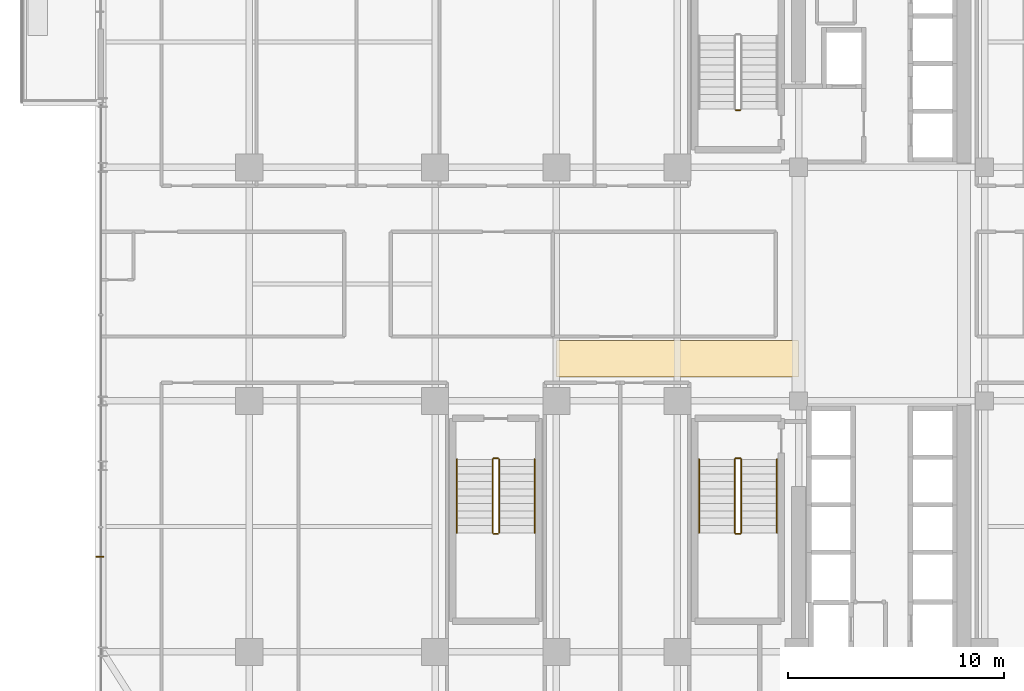
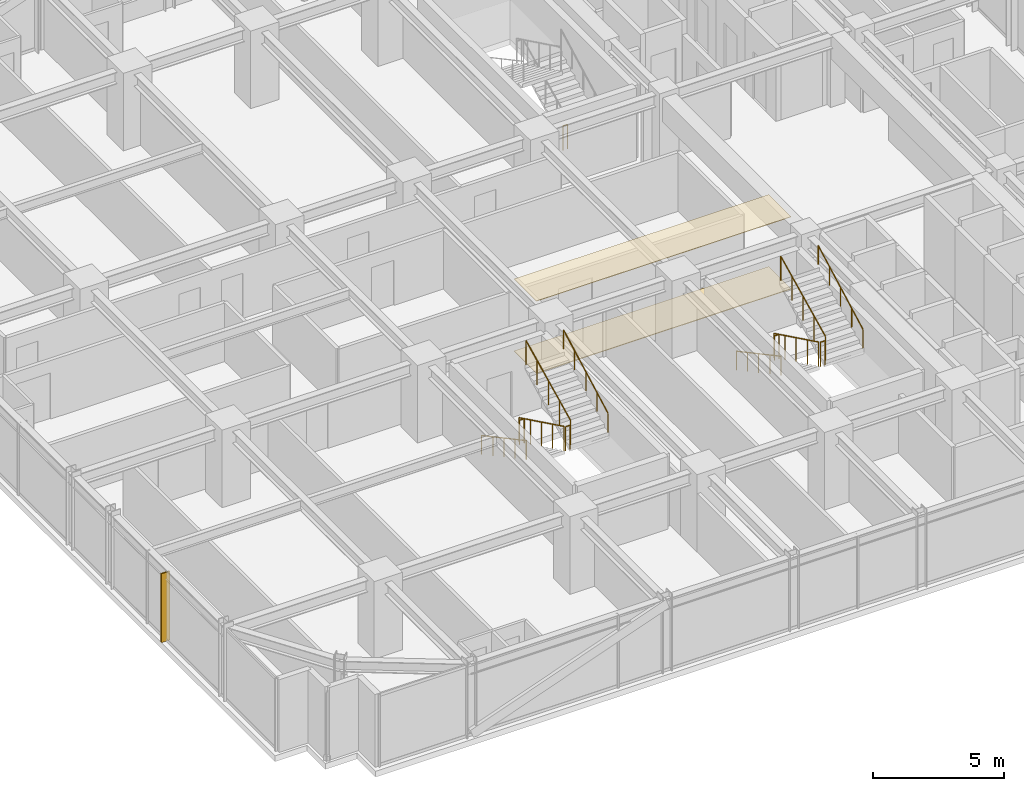
# One storey, part 37 of 40: 13 railings, 2 coverings, 1 shading device.
"""IFC4 building model written with IfcOpenShell, lengths in metres."""

from ifc_helpers import new_model, si_unit, direction, frame, origin, origin_2d, place, context, subcontext, project, spatial, polyline, rectangle, circle, outline, extrude, source, transform, mapped, material, layer, layer_set, type_object, element, save


model = new_model("IFC4")

# Units and contexts
model_context = context("Model", 3, precision=1e-05, world=origin(), true_north=direction((0.0, 1.0)))
body_context = subcontext(model_context, "Body", "Model", "MODEL_VIEW")
ifc_project = project(units=[si_unit("LENGTHUNIT", "METRE"), si_unit("AREAUNIT", "SQUARE_METRE"), si_unit("VOLUMEUNIT", "CUBIC_METRE"), si_unit("PLANEANGLEUNIT", "RADIAN"), si_unit("MASSUNIT", "GRAM", prefix="KILO")], contexts=[model_context])

# Site, building, storey
site_placement = place(None, origin())
site = spatial("IfcSite", under=ifc_project, at=site_placement, CompositionType="ELEMENT")
building_placement = place(site_placement, origin())
building = spatial("IfcBuilding", under=site, at=building_placement, Name="Nahalor Promenade Grand Hotel", CompositionType="ELEMENT")
storey_placement = place(building_placement, frame((0.0, 0.0, 91.949951171875)))
storey = spatial("IfcBuildingStorey", under=building, at=storey_placement, Name="L22", CompositionType="ELEMENT", Elevation=91.949951171875)

# Coverings
ifc_material_1 = material(Name="Acoustic Mineral Gypsum", Category="gypsum")
ifc_layer_1 = layer(ifc_material_1, 0.02490234375)
ifc_layer_set_1 = layer_set([ifc_layer_1], Name="Acoustic Mineral Gypsum")
covering_type_1 = type_object("IfcCoveringType", Name="Acoustic Suspended Ceiling Tile", PredefinedType="CEILING", material=ifc_layer_set_1)
covering_1_placement = place(storey_placement, frame((0.0, 0.0, 3.35498046875)))
element("IfcCovering", 1, at=covering_1_placement, inside=storey, type_object=covering_type_1, Name="CV-CEIL-L22", PredefinedType="CEILING", context=body_context, shape_type="SweptSolid", body=[
    extrude(outline(polyline([(-2.800048828125, -4.300048828125), (8.39990234375, -4.300048828125), (8.39990234375, -2.60009765625), (-2.800048828125, -2.60009765625), (-2.800048828125, -4.300048828125)])), origin(), (0.0, 0.0, 1.0), 0.025146484375),
])
ifc_material_2 = material(Name="Jerusalem Limestone Flooring", Category="masonry")
ifc_layer_2 = layer(ifc_material_2, 0.030029296875)
ifc_layer_set_2 = layer_set([ifc_layer_2], Name="Jerusalem Limestone Flooring")
covering_type_2 = type_object("IfcCoveringType", Name="Honed Limestone Floor Finish", PredefinedType="FLOORING", material=ifc_layer_set_2)
covering_2_placement = place(storey_placement, origin())
element("IfcCovering", 2, at=covering_2_placement, inside=storey, type_object=covering_type_2, Name="CV-FLOR-L22", PredefinedType="FLOORING", context=body_context, shape_type="SweptSolid", body=[
    extrude(outline(polyline([(-2.800048828125, -4.300048828125), (8.39990234375, -4.300048828125), (8.39990234375, -2.60009765625), (-2.800048828125, -2.60009765625), (-2.800048828125, -4.300048828125)])), origin(), (0.0, 0.0, 1.0), 0.030029296875),
])

# Railings
ifc_material_3 = material(Name="Steel S355JR", Category="steel")
railing_type_1 = type_object("IfcRailingType", Name="Steel Stair Guardrail 1150 mm", PredefinedType="GUARDRAIL", material=ifc_material_3)
railing_1_placement = place(storey_placement, frame((5.699951171875, 8.050048828125, 0.0)))
element("IfcRailing", 3, at=railing_1_placement, inside=storey, type_object=railing_type_1, Name="L22 ST1 stair guard 4", PredefinedType="GUARDRAIL", context=body_context, shape_type="SweptSolid", body=[
    extrude(circle(Radius=0.024048, at=origin_2d()), frame((0.0, 0.0, 1.1259765625), z_axis=(-1.0, 0.0, 0.0), x_axis=(0.0, -1.0, 0.0)), (0.0, 0.0, 1.0), 0.199951171875),
    extrude(circle(Radius=0.020996, at=origin_2d()), origin(), (0.0, 0.0, 1.0), 1.099853515625),
    extrude(circle(Radius=0.020996, at=origin_2d()), frame((-0.199951171875, 0.0, 0.0)), (0.0, 0.0, 1.0), 1.099853515625),
])
railing_2_placement = place(storey_placement, frame((5.449951171875, -8.10009765625, 0.166015625)))
element("IfcRailing", 4, at=railing_2_placement, inside=storey, type_object=railing_type_1, Name="L22 ST2 stair guard 1", PredefinedType="GUARDRAIL", context=body_context, shape_type="SweptSolid", body=[
    extrude(circle(Radius=0.024048, at=origin_2d()), frame((0.0, 0.0, 1.1259765625), z_axis=(0.0, -0.898721922897, 0.438518990814), x_axis=(1.0, 0.0, 0.0)), (0.0, 0.0, 1.0), 3.782958984375),
    extrude(circle(Radius=0.020996, at=origin_2d()), origin(), (0.0, 0.0, 1.0), 1.099853515625),
    extrude(circle(Radius=0.020996, at=origin_2d()), frame((0.0, -0.85009765625, 0.414794921875)), (0.0, 0.0, 1.0), 1.099853515625),
    extrude(circle(Radius=0.020996, at=origin_2d()), frame((0.0, -1.699951171875, 0.82958984375)), (0.0, 0.0, 1.0), 1.099853515625),
    extrude(circle(Radius=0.020996, at=origin_2d()), frame((0.0, -2.5498046875, 1.244140625)), (0.0, 0.0, 1.0), 1.099853515625),
    extrude(circle(Radius=0.020996, at=origin_2d()), frame((0.0, -3.39990234375, 1.658935546875)), (0.0, 0.0, 1.0), 1.099853515625),
])
railing_3_placement = place(storey_placement, frame((5.5, -11.550048828125, 1.824951171875)))
element("IfcRailing", 5, at=railing_3_placement, inside=storey, type_object=railing_type_1, Name="L22 ST2 stair guard 2", PredefinedType="GUARDRAIL", context=body_context, shape_type="SweptSolid", body=[
    extrude(circle(Radius=0.024048, at=origin_2d()), frame((0.0, 0.0, 1.1259765625), z_axis=(1.0, 0.0, 0.0), x_axis=(0.0, 1.0, 0.0)), (0.0, 0.0, 1.0), 0.199951171875),
    extrude(circle(Radius=0.020996, at=origin_2d()), origin(), (0.0, 0.0, 1.0), 1.099853515625),
    extrude(circle(Radius=0.020996, at=origin_2d()), frame((0.199951171875, 0.0, 0.0)), (0.0, 0.0, 1.0), 1.099853515625),
])
railing_4_placement = place(storey_placement, frame((5.75, -11.5, 1.990966796875)))
element("IfcRailing", 6, at=railing_4_placement, inside=storey, type_object=railing_type_1, Name="L22 ST2 stair guard 3", PredefinedType="GUARDRAIL", context=body_context, shape_type="SweptSolid", body=[
    extrude(circle(Radius=0.024048, at=origin_2d()), frame((0.0, 0.0, 1.1259765625), z_axis=(0.0, 0.898696488221, 0.438571114028), x_axis=(-1.0, 0.0, 0.0)), (0.0, 0.0, 1.0), 3.783203125),
    extrude(circle(Radius=0.020996, at=origin_2d()), origin(), (0.0, 0.0, 1.0), 1.099853515625),
    extrude(circle(Radius=0.020996, at=origin_2d()), frame((0.0, 0.85009765625, 0.414794921875)), (0.0, 0.0, 1.0), 1.099853515625),
    extrude(circle(Radius=0.020996, at=origin_2d()), frame((0.0, 1.699951171875, 0.82958984375)), (0.0, 0.0, 1.0), 1.099853515625),
    extrude(circle(Radius=0.020996, at=origin_2d()), frame((0.0, 2.5498046875, 1.244384765625)), (0.0, 0.0, 1.0), 1.099853515625),
    extrude(circle(Radius=0.020996, at=origin_2d()), frame((0.0, 3.39990234375, 1.6591796875)), (0.0, 0.0, 1.0), 1.099853515625),
])
railing_5_placement = place(storey_placement, frame((5.5, -8.050048828125, 0.0)))
element("IfcRailing", 7, at=railing_5_placement, inside=storey, type_object=railing_type_1, Name="L22 ST2 stair guard 4", PredefinedType="GUARDRAIL", context=body_context, shape_type="SweptSolid", body=[
    extrude(circle(Radius=0.024048, at=origin_2d()), frame((0.0, 0.0, 1.1259765625), z_axis=(1.0, 0.0, 0.0), x_axis=(0.0, 1.0, 0.0)), (0.0, 0.0, 1.0), 0.199951171875),
    extrude(circle(Radius=0.020996, at=origin_2d()), origin(), (0.0, 0.0, 1.0), 1.099853515625),
    extrude(circle(Radius=0.020996, at=origin_2d()), frame((0.199951171875, 0.0, 0.0)), (0.0, 0.0, 1.0), 1.099853515625),
])
railing_6_placement = place(storey_placement, frame((-5.75, -8.10009765625, 0.166015625)))
element("IfcRailing", 8, at=railing_6_placement, inside=storey, type_object=railing_type_1, Name="L22 ST3 stair guard 1", PredefinedType="GUARDRAIL", context=body_context, shape_type="SweptSolid", body=[
    extrude(circle(Radius=0.024048, at=origin_2d()), frame((0.0, 0.0, 1.1259765625), z_axis=(0.0, -0.898721922897, 0.438518990814), x_axis=(1.0, 0.0, 0.0)), (0.0, 0.0, 1.0), 3.782958984375),
    extrude(circle(Radius=0.020996, at=origin_2d()), origin(), (0.0, 0.0, 1.0), 1.099853515625),
    extrude(circle(Radius=0.020996, at=origin_2d()), frame((0.0, -0.85009765625, 0.414794921875)), (0.0, 0.0, 1.0), 1.099853515625),
    extrude(circle(Radius=0.020996, at=origin_2d()), frame((0.0, -1.699951171875, 0.82958984375)), (0.0, 0.0, 1.0), 1.099853515625),
    extrude(circle(Radius=0.020996, at=origin_2d()), frame((0.0, -2.5498046875, 1.244140625)), (0.0, 0.0, 1.0), 1.099853515625),
    extrude(circle(Radius=0.020996, at=origin_2d()), frame((0.0, -3.39990234375, 1.658935546875)), (0.0, 0.0, 1.0), 1.099853515625),
])
railing_7_placement = place(storey_placement, frame((-5.699951171875, -11.550048828125, 1.824951171875)))
element("IfcRailing", 9, at=railing_7_placement, inside=storey, type_object=railing_type_1, Name="L22 ST3 stair guard 2", PredefinedType="GUARDRAIL", context=body_context, shape_type="SweptSolid", body=[
    extrude(circle(Radius=0.024048, at=origin_2d()), frame((0.0, 0.0, 1.1259765625), z_axis=(1.0, 0.0, 0.0), x_axis=(0.0, 1.0, 0.0)), (0.0, 0.0, 1.0), 0.199951171875),
    extrude(circle(Radius=0.020996, at=origin_2d()), origin(), (0.0, 0.0, 1.0), 1.099853515625),
    extrude(circle(Radius=0.020996, at=origin_2d()), frame((0.199951171875, 0.0, 0.0)), (0.0, 0.0, 1.0), 1.099853515625),
])
railing_8_placement = place(storey_placement, frame((-5.449951171875, -11.5, 1.990966796875)))
element("IfcRailing", 10, at=railing_8_placement, inside=storey, type_object=railing_type_1, Name="L22 ST3 stair guard 3", PredefinedType="GUARDRAIL", context=body_context, shape_type="SweptSolid", body=[
    extrude(circle(Radius=0.024048, at=origin_2d()), frame((0.0, 0.0, 1.1259765625), z_axis=(0.0, 0.898696488221, 0.438571114028), x_axis=(-1.0, 0.0, 0.0)), (0.0, 0.0, 1.0), 3.783203125),
    extrude(circle(Radius=0.020996, at=origin_2d()), origin(), (0.0, 0.0, 1.0), 1.099853515625),
    extrude(circle(Radius=0.020996, at=origin_2d()), frame((0.0, 0.85009765625, 0.414794921875)), (0.0, 0.0, 1.0), 1.099853515625),
    extrude(circle(Radius=0.020996, at=origin_2d()), frame((0.0, 1.699951171875, 0.82958984375)), (0.0, 0.0, 1.0), 1.099853515625),
    extrude(circle(Radius=0.020996, at=origin_2d()), frame((0.0, 2.5498046875, 1.244384765625)), (0.0, 0.0, 1.0), 1.099853515625),
    extrude(circle(Radius=0.020996, at=origin_2d()), frame((0.0, 3.39990234375, 1.6591796875)), (0.0, 0.0, 1.0), 1.099853515625),
])
railing_9_placement = place(storey_placement, frame((-5.699951171875, -8.050048828125, 0.0)))
element("IfcRailing", 11, at=railing_9_placement, inside=storey, type_object=railing_type_1, Name="L22 ST3 stair guard 4", PredefinedType="GUARDRAIL", context=body_context, shape_type="SweptSolid", body=[
    extrude(circle(Radius=0.024048, at=origin_2d()), frame((0.0, 0.0, 1.1259765625), z_axis=(1.0, 0.0, 0.0), x_axis=(0.0, 1.0, 0.0)), (0.0, 0.0, 1.0), 0.199951171875),
    extrude(circle(Radius=0.020996, at=origin_2d()), origin(), (0.0, 0.0, 1.0), 1.099853515625),
    extrude(circle(Radius=0.020996, at=origin_2d()), frame((0.199951171875, 0.0, 0.0)), (0.0, 0.0, 1.0), 1.099853515625),
])
railing_type_2 = type_object("IfcRailingType", Name="Steel Stair Handrail 900 mm", PredefinedType="HANDRAIL", material=ifc_material_3)
railing_10_placement = place(storey_placement, frame((3.800048828125, -8.10009765625, 0.166015625)))
element("IfcRailing", 12, at=railing_10_placement, inside=storey, type_object=railing_type_2, Name="L22 ST2 stair handrail 1", PredefinedType="HANDRAIL", context=body_context, shape_type="SweptSolid", body=[
    extrude(circle(Radius=0.024048, at=origin_2d()), frame((0.0, 0.0, 0.8759765625), z_axis=(0.0, -0.881094038095, 0.47294111265), x_axis=(1.0, 0.0, 0.0)), (0.0, 0.0, 1.0), 3.858642578125),
    extrude(circle(Radius=0.020996, at=origin_2d()), origin(), (0.0, 0.0, 1.0), 0.849853515625),
    extrude(circle(Radius=0.020996, at=origin_2d()), frame((0.0, -0.85009765625, 0.456298828125)), (0.0, 0.0, 1.0), 0.849853515625),
    extrude(circle(Radius=0.020996, at=origin_2d()), frame((0.0, -1.699951171875, 0.91259765625)), (0.0, 0.0, 1.0), 0.849853515625),
    extrude(circle(Radius=0.020996, at=origin_2d()), frame((0.0, -2.5498046875, 1.36865234375)), (0.0, 0.0, 1.0), 0.849853515625),
    extrude(circle(Radius=0.020996, at=origin_2d()), frame((0.0, -3.39990234375, 1.824951171875)), (0.0, 0.0, 1.0), 0.849853515625),
])
railing_11_placement = place(storey_placement, frame((7.39990234375, -11.5, 1.990966796875)))
element("IfcRailing", 13, at=railing_11_placement, inside=storey, type_object=railing_type_2, Name="L22 ST2 stair handrail 2", PredefinedType="HANDRAIL", context=body_context, shape_type="SweptSolid", body=[
    extrude(circle(Radius=0.024048, at=origin_2d()), frame((0.0, 0.0, 0.8759765625), z_axis=(0.0, 0.881094038095, 0.47294111265), x_axis=(-1.0, 0.0, 0.0)), (0.0, 0.0, 1.0), 3.858642578125),
    extrude(circle(Radius=0.020996, at=origin_2d()), origin(), (0.0, 0.0, 1.0), 0.849853515625),
    extrude(circle(Radius=0.020996, at=origin_2d()), frame((0.0, 0.85009765625, 0.456298828125)), (0.0, 0.0, 1.0), 0.849853515625),
    extrude(circle(Radius=0.020996, at=origin_2d()), frame((0.0, 1.699951171875, 0.91259765625)), (0.0, 0.0, 1.0), 0.849853515625),
    extrude(circle(Radius=0.020996, at=origin_2d()), frame((0.0, 2.5498046875, 1.36865234375)), (0.0, 0.0, 1.0), 0.849853515625),
    extrude(circle(Radius=0.020996, at=origin_2d()), frame((0.0, 3.39990234375, 1.824951171875)), (0.0, 0.0, 1.0), 0.849853515625),
])
railing_12_placement = place(storey_placement, frame((-7.39990234375, -8.10009765625, 0.166015625)))
element("IfcRailing", 14, at=railing_12_placement, inside=storey, type_object=railing_type_2, Name="L22 ST3 stair handrail 1", PredefinedType="HANDRAIL", context=body_context, shape_type="SweptSolid", body=[
    extrude(circle(Radius=0.024048, at=origin_2d()), frame((0.0, 0.0, 0.8759765625), z_axis=(0.0, -0.881094038095, 0.47294111265), x_axis=(1.0, 0.0, 0.0)), (0.0, 0.0, 1.0), 3.858642578125),
    extrude(circle(Radius=0.020996, at=origin_2d()), origin(), (0.0, 0.0, 1.0), 0.849853515625),
    extrude(circle(Radius=0.020996, at=origin_2d()), frame((0.0, -0.85009765625, 0.456298828125)), (0.0, 0.0, 1.0), 0.849853515625),
    extrude(circle(Radius=0.020996, at=origin_2d()), frame((0.0, -1.699951171875, 0.91259765625)), (0.0, 0.0, 1.0), 0.849853515625),
    extrude(circle(Radius=0.020996, at=origin_2d()), frame((0.0, -2.5498046875, 1.36865234375)), (0.0, 0.0, 1.0), 0.849853515625),
    extrude(circle(Radius=0.020996, at=origin_2d()), frame((0.0, -3.39990234375, 1.824951171875)), (0.0, 0.0, 1.0), 0.849853515625),
])
railing_13_placement = place(storey_placement, frame((-3.800048828125, -11.5, 1.990966796875)))
element("IfcRailing", 15, at=railing_13_placement, inside=storey, type_object=railing_type_2, Name="L22 ST3 stair handrail 2", PredefinedType="HANDRAIL", context=body_context, shape_type="SweptSolid", body=[
    extrude(circle(Radius=0.024048, at=origin_2d()), frame((0.0, 0.0, 0.8759765625), z_axis=(0.0, 0.881094038095, 0.47294111265), x_axis=(-1.0, 0.0, 0.0)), (0.0, 0.0, 1.0), 3.858642578125),
    extrude(circle(Radius=0.020996, at=origin_2d()), origin(), (0.0, 0.0, 1.0), 0.849853515625),
    extrude(circle(Radius=0.020996, at=origin_2d()), frame((0.0, 0.85009765625, 0.456298828125)), (0.0, 0.0, 1.0), 0.849853515625),
    extrude(circle(Radius=0.020996, at=origin_2d()), frame((0.0, 1.699951171875, 0.91259765625)), (0.0, 0.0, 1.0), 0.849853515625),
    extrude(circle(Radius=0.020996, at=origin_2d()), frame((0.0, 2.5498046875, 1.36865234375)), (0.0, 0.0, 1.0), 0.849853515625),
    extrude(circle(Radius=0.020996, at=origin_2d()), frame((0.0, 3.39990234375, 1.824951171875)), (0.0, 0.0, 1.0), 0.849853515625),
])

# Shading device
ifc_material_4 = material(Name="Anodised Bronze Aluminium EN AW-6063 T6", Category="aluminium")
ifc_layer_3 = layer(ifc_material_4, 0.06005859375)
ifc_layer_set_3 = layer_set([ifc_layer_3], Name="Anodised Bronze Aluminium EN AW-6063 T6")
shading_device_type = type_object("IfcShadingDeviceType", Name="Shade-SolarFin-Bronze", PredefinedType="JALOUSIE", material=ifc_layer_set_3)
shared_shape = source(origin(), body_context, "Body", "SweptSolid", [
    extrude(rectangle(XDim=0.3798828125, YDim=0.06005859375, at=origin_2d()), origin(), (0.0, 0.0, 1.0), 3.199951171875),
])
shading_device_placement = place(storey_placement, frame((-23.909912109375, -12.60009765625, 0.0), z_axis=(0.0, 0.0, 1.0), x_axis=(1.0, 0.0, 0.0)))
element("IfcShadingDevice", 16, at=shading_device_placement, inside=storey, type_object=shading_device_type, Name="JAL-L22-W1", PredefinedType="JALOUSIE", context=body_context, shape_type="MappedRepresentation", body=[
    mapped(shared_shape, transform((0.0, 0.0, 0.0), scale=1.0)),
])

save(model, "model.ifc")
